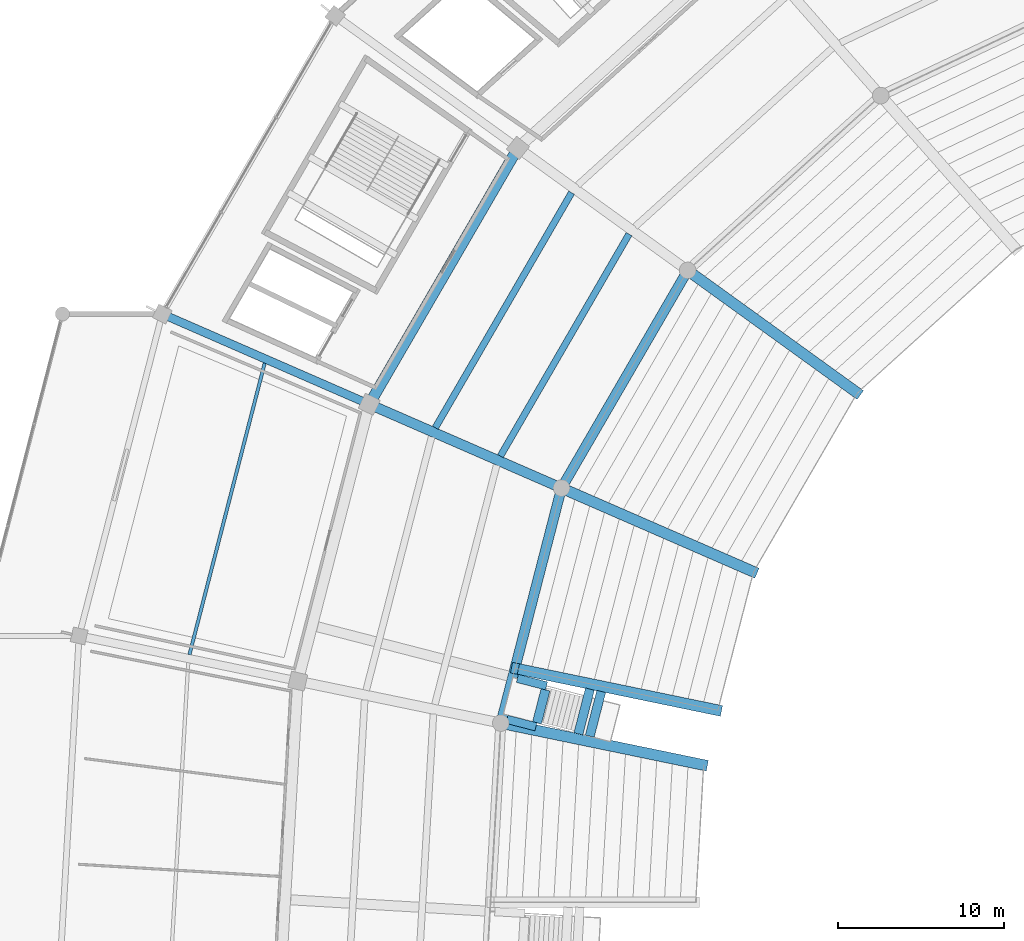
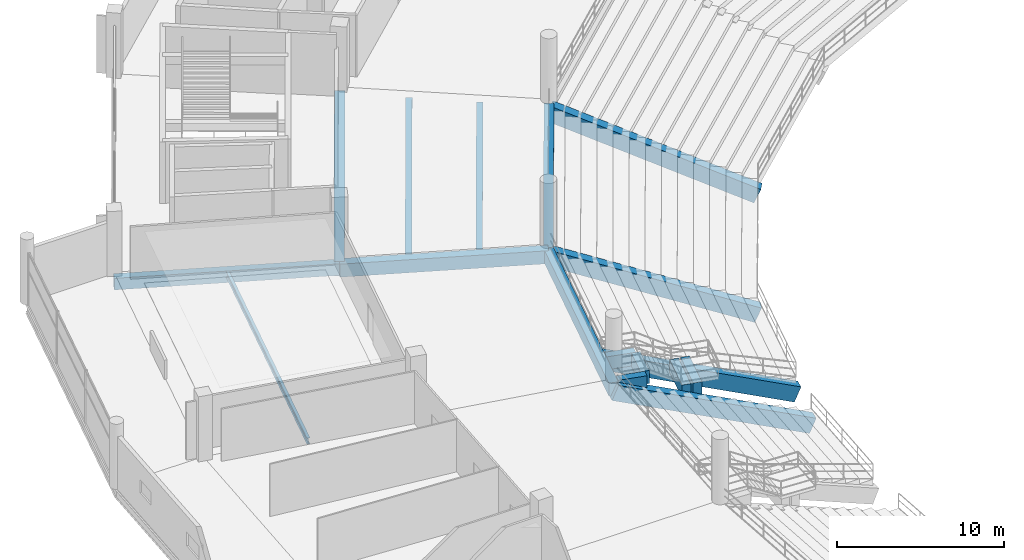
# One storey, part 38 of 156: 17 beams.
"""IFC4 building model written with IfcOpenShell, lengths in metres."""

import ifcopenshell
import ifcopenshell.guid

model = None  # the IFC model being written
_history = None  # IfcOwnerHistory: only IFC2X3 demands one
_inside = {}  # id of a spatial element -> (the spatial element, [elements in it])
_under = {}  # id of a project, library or spatial element -> (it, [spatial elements below it])
_declared = {}  # id of a project -> (the project, [libraries it declares])
_typed = {}  # id of a type object -> (the type object, [elements of that type])
_made_of = {}  # id of a material, layer set ... -> (it, [elements and type objects made of it])


def new_model(schema):
    """Start an empty IFC model of exactly this schema.

    Asked for "IFC4X3", IfcOpenShell would pick the latest addendum, in which some entities
    have other attributes; the version numbers below select the first issue.
    IFC2X3 requires an IfcOwnerHistory on every rooted entity: one is made here for all.
    """
    global model, _history
    if schema == "IFC4X3":
        model = ifcopenshell.file(schema_version=(4, 3, 0, 0))
    else:
        model = ifcopenshell.file(schema=schema)
    _inside.clear()
    _under.clear()
    _declared.clear()
    _typed.clear()
    _made_of.clear()
    _history = None
    if model.schema == "IFC2X3":
        org = make("IfcOrganization", Name="unknown")
        user = make(
            "IfcPersonAndOrganization",
            ThePerson=make("IfcPerson", FamilyName="unknown"),
            TheOrganization=org,
        )
        app = make(
            "IfcApplication",
            ApplicationDeveloper=org,
            Version="unknown",
            ApplicationFullName="unknown",
            ApplicationIdentifier="unknown",
        )
        _history = make(
            "IfcOwnerHistory",
            OwningUser=user,
            OwningApplication=app,
            ChangeAction="ADDED",
            CreationDate=0,
        )
    return model


def make(cls, **values):
    """One entity of the class cls with the attributes given. An attribute that is None is left unset."""
    return model.create_entity(
        cls, **{name: value for name, value in values.items() if value is not None}
    )


def rooted(cls, **values):
    """An entity with a GlobalId (a new one), such as an element, a storey or a relation."""
    return make(cls, GlobalId=ifcopenshell.guid.new(), OwnerHistory=_history, **values)


def si_unit(unit_type, name, prefix=None):
    """IfcSIUnit, for example si_unit("LENGTHUNIT", "METRE", prefix="MILLI")."""
    return make("IfcSIUnit", UnitType=unit_type, Prefix=prefix, Name=name)


def assignment(units):
    """IfcUnitAssignment: the units of a project."""
    return None if units is None else make("IfcUnitAssignment", Units=units)


def point(xyz):
    """IfcCartesianPoint."""
    return None if xyz is None else make("IfcCartesianPoint", Coordinates=xyz)


def direction(xyz):
    """IfcDirection."""
    return None if xyz is None else make("IfcDirection", DirectionRatios=xyz)


def frame(location, z_axis=None, x_axis=None):
    """IfcAxis2Placement3D, a coordinate frame: its origin and axes. An axis left out is left unset."""
    return make(
        "IfcAxis2Placement3D",
        Location=point(location),
        Axis=direction(z_axis),
        RefDirection=direction(x_axis),
    )


def frame_2d(location, x_axis=None):
    """IfcAxis2Placement2D, a coordinate frame in the plane: its origin and x axis."""
    return make(
        "IfcAxis2Placement2D", Location=point(location), RefDirection=direction(x_axis)
    )


def origin():
    """The frame at (0, 0, 0) with its axes left unset."""
    return frame((0.0, 0.0, 0.0))


def origin_2d():
    """The frame at (0, 0) in the plane with its x axis left unset."""
    return frame_2d((0.0, 0.0))


def place(relative_to, where):
    """IfcLocalPlacement: puts the frame where relative to a parent placement (None: the world)."""
    return make(
        "IfcLocalPlacement", PlacementRelTo=relative_to, RelativePlacement=where
    )


def context(
    kind, dimensions, precision=None, world=None, true_north=None, identifier=None
):
    """IfcGeometricRepresentationContext, for example the 3D "Model" context."""
    return make(
        "IfcGeometricRepresentationContext",
        ContextIdentifier=identifier,
        ContextType=kind,
        CoordinateSpaceDimension=dimensions,
        Precision=precision,
        WorldCoordinateSystem=world,
        TrueNorth=true_north,
    )


def subcontext(parent, identifier, kind, view, scale=None):
    """IfcGeometricRepresentationSubContext, for example "Body" below "Model"."""
    return make(
        "IfcGeometricRepresentationSubContext",
        ContextIdentifier=identifier,
        ContextType=kind,
        ParentContext=parent,
        TargetScale=scale,
        TargetView=view,
    )


def project(units=None, contexts=None):
    """IfcProject with its units and contexts."""
    return rooted(
        "IfcProject",
        Name="project",
        RepresentationContexts=contexts,
        UnitsInContext=assignment(units),
    )


def spatial(cls, under=None, at=None, **own):
    """A site, building, storey or space (cls), placed at a placement, below another one or the project."""
    s = rooted(cls, ObjectPlacement=at, **own)
    if under is not None:
        _under.setdefault(under.id(), (under, []))[1].append(s)
    return s


def profile(cls, at=None, kind="AREA", **sizes):
    """A parametric profile (cls). Its sizes go by their IFC names, for example OverallWidth=200.0."""
    return make(cls, ProfileType=kind, Position=at, **sizes)


def rectangle(**sizes):
    """IfcRectangleProfileDef."""
    return profile("IfcRectangleProfileDef", **sizes)


def i_section(**sizes):
    """IfcIShapeProfileDef."""
    return profile("IfcIShapeProfileDef", **sizes)


def extrude(swept, where, along, depth):
    """IfcExtrudedAreaSolid: the profile swept, set in the frame where, extruded along a direction by depth."""
    return make(
        "IfcExtrudedAreaSolid",
        SweptArea=swept,
        Position=where,
        ExtrudedDirection=direction(along),
        Depth=depth,
    )


def shape(context_of_items, identifier, shape_type, items):
    """IfcShapeRepresentation: the items that make up one representation, for example the "Body"."""
    return make(
        "IfcShapeRepresentation",
        ContextOfItems=context_of_items,
        RepresentationIdentifier=identifier,
        RepresentationType=shape_type,
        Items=items,
    )


def material(Name=None, Category=None):
    """IfcMaterial."""
    return make("IfcMaterial", Name=Name, Category=Category)


def material_profile(
    of_material, cross_section, Name=None, Category=None, Priority=None
):
    """IfcMaterialProfile: a cross section and its material."""
    return make(
        "IfcMaterialProfile",
        Name=Name,
        Material=of_material,
        Profile=cross_section,
        Priority=Priority,
        Category=Category,
    )


def profile_set(profiles, Name=None, composite=None):
    """IfcMaterialProfileSet."""
    return make(
        "IfcMaterialProfileSet",
        Name=Name,
        MaterialProfiles=profiles,
        CompositeProfile=composite,
    )


def made_of(thing, what):
    """Note that an element or type object is made of a material, layer set ...; save() writes the relation."""
    if what is not None:
        _made_of.setdefault(what.id(), (what, []))[1].append(thing)
    return thing


def type_object(cls, material=None, **own):
    """A type object (cls), such as IfcWallType, which elements share."""
    return made_of(rooted(cls, **own), material)


def element(
    cls,
    number,
    at=None,
    inside=None,
    cuts=None,
    type_object=None,
    material=None,
    context=None,
    identifier="Body",
    shape_type=None,
    held_by="IfcProductDefinitionShape",
    body=None,
    shapes=None,
    **own,
):
    """One element of the class cls, such as IfcWall. Its Tag is "e" and its number.

    at: its placement. inside: the storey or other place that contains it. cuts: it is an
    opening in that element (IfcRelVoidsElement). A single representation is given by context,
    identifier, shape_type and body (its items); several are given by shapes. held_by: the class
    of the entity that holds the representations. save() writes the other relations.
    """
    e = rooted(cls, Tag="e%d" % number, ObjectPlacement=at, **own)
    if body is not None:
        shapes = [shape(context, identifier, shape_type, body)]
    if shapes is not None:
        e.Representation = make(held_by, Representations=shapes)
    if inside is not None:
        _inside.setdefault(inside.id(), (inside, []))[1].append(e)
    if cuts is not None:
        rooted(
            "IfcRelVoidsElement", RelatingBuildingElement=cuts, RelatedOpeningElement=e
        )
    if type_object is not None:
        _typed.setdefault(type_object.id(), (type_object, []))[1].append(e)
    return made_of(e, material)


def aggregate(whole, parts):
    """IfcRelAggregates: a whole, such as a stair, and the parts it consists of."""
    return rooted("IfcRelAggregates", RelatingObject=whole, RelatedObjects=parts)


def save(model, path):
    """Write the relations noted so far, then the file.

    IfcRelAggregates (storeys below a building ...), IfcRelContainedInSpatialStructure (elements
    in a storey), IfcRelDefinesByType, IfcRelAssociatesMaterial and IfcRelDeclares: one each for
    every whole, place, type object, material and project.
    """
    for whole, parts in _under.values():
        aggregate(whole, parts)
    for where, things in _inside.values():
        rooted(
            "IfcRelContainedInSpatialStructure",
            RelatedElements=things,
            RelatingStructure=where,
        )
    for kind, things in _typed.values():
        rooted("IfcRelDefinesByType", RelatedObjects=things, RelatingType=kind)
    for what, things in _made_of.values():
        rooted("IfcRelAssociatesMaterial", RelatedObjects=things, RelatingMaterial=what)
    for by, libraries in _declared.values():
        rooted("IfcRelDeclares", RelatingContext=by, RelatedDefinitions=libraries)
    model.write(path)


model = new_model("IFC4")

# Units and contexts
model_context = context("Model", 3, precision=1e-05, world=origin(), true_north=direction((0.0, 1.0)))
body_context = subcontext(model_context, "Body", "Model", "MODEL_VIEW")
ifc_project = project(units=[si_unit("LENGTHUNIT", "METRE"), si_unit("AREAUNIT", "SQUARE_METRE"), si_unit("VOLUMEUNIT", "CUBIC_METRE"), si_unit("PLANEANGLEUNIT", "RADIAN"), si_unit("MASSUNIT", "GRAM", prefix="KILO")], contexts=[model_context])

# Site, building, storey
site_placement = place(None, origin())
site = spatial("IfcSite", under=ifc_project, at=site_placement, CompositionType="ELEMENT")
building_placement = place(site_placement, origin())
building = spatial("IfcBuilding", under=site, at=building_placement, Name="Kazemori Nagisa Stadium", CompositionType="ELEMENT")
storey_placement = place(building_placement, frame((0.0, 0.0, 5.780029296875)))
storey = spatial("IfcBuildingStorey", under=building, at=storey_placement, Name="L01", CompositionType="ELEMENT", Elevation=5.780029296875)

# Beams
ifc_material_1 = material(Name="Concrete C40/50 (Fc42)", Category="concrete")
ifc_material_profile_1 = material_profile(ifc_material_1, rectangle(XDim=0.5, YDim=0.85009765625, at=origin_2d()), Name="RC-BM-500x850")
ifc_profile_set_1 = profile_set([ifc_material_profile_1], Name="Concrete C40/50 (Fc42)")
beam_type_1 = type_object("IfcBeamType", Name="Beam_BG-RC500X850", PredefinedType="BEAM", material=ifc_profile_set_1)
beam_1_placement = place(storey_placement, frame((46.55908203125, 135.32470703125, -0.705078125), z_axis=(-0.916683633521, 0.399613708517, 0.0), x_axis=(-0.399613708517, -0.916683633521, 0.0)))
element("IfcBeam", 1, at=beam_1_placement, inside=storey, type_object=beam_type_1, Name="Radial girder BG-RC500X850 L01 R2-R3-13", PredefinedType="BEAM", context=body_context, shape_type="SweptSolid", body=[
    extrude(rectangle(XDim=0.5, YDim=0.85009765625, at=origin_2d()), origin(), (0.0, 0.0, 1.0), 13.5751953125),
])
ifc_material_profile_2 = material_profile(ifc_material_1, rectangle(XDim=0.60009765625, YDim=0.949951171875, at=origin_2d()), Name="RC-BM-600x950")
ifc_profile_set_2 = profile_set([ifc_material_profile_2], Name="Concrete C40/50 (Fc42)")
beam_type_2 = type_object("IfcBeamType", Name="Beam_BG-RC600X950", PredefinedType="BEAM", material=ifc_profile_set_2)
beam_2_placement = place(storey_placement, frame((65.698486328125, 143.367431640625, -0.755126953125), z_axis=(-0.501613453924, -0.865091869597, 0.0), x_axis=(0.865091869597, -0.501613453924, 0.0)))
element("IfcBeam", 2, at=beam_2_placement, inside=storey, type_object=beam_type_2, Name="Ring girder BG-RC600X950 L01 R1-12", PredefinedType="BEAM", context=body_context, shape_type="SweptSolid", body=[
    extrude(rectangle(XDim=0.60009765625, YDim=0.949951171875, at=origin_2d()), origin(), (0.0, 0.0, 1.0), 15.1201171875),
])
beam_3_placement = place(storey_placement, frame((58.114013671875, 130.287109375, -0.755126953125), z_axis=(-0.249966077383, -0.9682545947, 0.0), x_axis=(0.9682545947, -0.249966077383, 0.0)))
element("IfcBeam", 3, at=beam_3_placement, inside=storey, type_object=beam_type_2, Name="Ring girder BG-RC600X950 L01 R1-13", PredefinedType="BEAM", context=body_context, shape_type="SweptSolid", body=[
    extrude(rectangle(XDim=0.60009765625, YDim=0.949951171875, at=origin_2d()), origin(), (0.0, 0.0, 1.0), 14.58984375),
])
beam_4_placement = place(storey_placement, frame((58.114013671875, 130.287109375, -0.755126953125), z_axis=(-0.916671768981, 0.399640923771, 0.0), x_axis=(-0.399640923771, -0.916671768981, 0.0)))
element("IfcBeam", 4, at=beam_4_placement, inside=storey, type_object=beam_type_2, Name="Radial girder BG-RC600X950 L01 R1-R2-13", PredefinedType="BEAM", context=body_context, shape_type="SweptSolid", body=[
    extrude(rectangle(XDim=0.60009765625, YDim=0.949951171875, at=origin_2d()), origin(), (0.0, 0.0, 1.0), 12.605224609375),
])
ifc_material_profile_3 = material_profile(ifc_material_1, rectangle(XDim=0.64990234375, YDim=1.050048828125, at=origin_2d()), Name="RC-BM-650x1050")
ifc_profile_set_3 = profile_set([ifc_material_profile_3], Name="Concrete C40/50 (Fc42)")
beam_type_3 = type_object("IfcBeamType", Name="Beam_BG-RC650X1050", PredefinedType="BEAM", material=ifc_profile_set_3)
beam_5_placement = place(storey_placement, frame((55.493896484375, 150.734130859375, -0.804931640625), z_axis=(-0.501606704589, -0.865095783085, 0.0), x_axis=(0.865095783085, -0.501606704589, 0.0)))
element("IfcBeam", 5, at=beam_5_placement, inside=storey, type_object=beam_type_3, Name="Ring girder BG-RC650X1050 L01 R2-12", PredefinedType="BEAM", context=body_context, shape_type="SweptSolid", body=[
    extrude(rectangle(XDim=0.64990234375, YDim=1.050048828125, at=origin_2d()), origin(), (0.0, 0.0, 1.0), 17.8125),
])
ifc_material_profile_4 = material_profile(ifc_material_1, rectangle(XDim=0.5, YDim=0.949951171875, at=origin_2d()), Name="RC-BM-500x950")
ifc_profile_set_4 = profile_set([ifc_material_profile_4], Name="Concrete C40/50 (Fc42)")
beam_type_4 = type_object("IfcBeamType", Name="Beam_BG-TR500X950", PredefinedType="BEAM", material=ifc_profile_set_4)
beam_6_placement = place(storey_placement, frame((56.577880859375, 115.935546875, -0.695068359375), z_axis=(-0.968260431642, 0.24994346664, 0.0), x_axis=(-0.24994346664, -0.968260431642, 0.0)))
element("IfcBeam", 6, at=beam_6_placement, inside=storey, type_object=beam_type_4, Name="Lower vomitory left trimmer girder B13", PredefinedType="BEAM", context=body_context, shape_type="SweptSolid", body=[
    extrude(rectangle(XDim=0.5, YDim=0.949951171875, at=origin_2d()), origin(), (0.0, 0.0, 1.0), 1.80517578125),
])
beam_7_placement = place(storey_placement, frame((57.212646484375, 118.39501953125, -0.695068359375), z_axis=(-0.96825198063, 0.249976202879, 0.0), x_axis=(-0.249976202879, -0.96825198063, 0.0)))
element("IfcBeam", 7, at=beam_7_placement, inside=storey, type_object=beam_type_4, Name="Lower vomitory right trimmer girder B13", PredefinedType="BEAM", context=body_context, shape_type="SweptSolid", body=[
    extrude(rectangle(XDim=0.5, YDim=0.949951171875, at=origin_2d()), origin(), (0.0, 0.0, 1.0), 1.804931640625),
])
ifc_material_profile_5 = material_profile(ifc_material_1, rectangle(XDim=0.550048828125, YDim=0.949951171875, at=origin_2d()), Name="RC-BM-550x950")
ifc_profile_set_5 = profile_set([ifc_material_profile_5], Name="Concrete C40/50 (Fc42)")
beam_type_5 = type_object("IfcBeamType", Name="Beam_BG-TR550X950", PredefinedType="BEAM", material=ifc_profile_set_5)
beam_8_placement = place(storey_placement, frame((56.63916015625, 116.1728515625, -0.695068359375), z_axis=(0.249982473461, 0.968250361715, 0.0), x_axis=(-0.968250361715, 0.249982473461, 0.0)))
element("IfcBeam", 8, at=beam_8_placement, inside=storey, type_object=beam_type_5, Name="Lower vomitory portal header girder B13", PredefinedType="BEAM", context=body_context, shape_type="SweptSolid", body=[
    extrude(rectangle(XDim=0.550048828125, YDim=0.949951171875, at=origin_2d()), origin(), (0.0, 0.0, 1.0), 2.050048828125),
])
for number, where, z_axis, x_axis, name in (
    (9, (59.822998046875, 118.205078125, -2.135009765625), (-0.249947078032, -0.968259499403, 0.0), (0.968259499403, -0.249947078032, 0.0), "Vomitory landing cross-beam VL05-1"),
    (10, (60.50537109375, 118.064208984375, -2.135009765625), (-0.249947078032, -0.968259499403, 0.0), (0.968259499403, -0.249947078032, 0.0), "Vomitory landing cross-beam VL05-2"),
):
    element("IfcBeam", number, at=place(storey_placement, frame(where, z_axis=z_axis, x_axis=x_axis)), inside=storey, type_object=beam_type_5, Name=name, PredefinedType="BEAM", context=body_context, shape_type="SweptSolid", body=[
        extrude(rectangle(XDim=0.550048828125, YDim=0.949951171875, at=origin_2d()), origin(), (0.0, 0.0, 1.0), 2.77978515625),
    ])
ifc_material_2 = material(Name="Steel SN490B", Category="steel")
ifc_material_profile_6 = material_profile(ifc_material_2, i_section(OverallWidth=0.199951171875, OverallDepth=0.449951171875, WebThickness=0.009033203125, FlangeThickness=0.013916015625, FilletRadius=0.012939453125, at=origin_2d()), Name="H-450x200x9x14")
ifc_profile_set_6 = profile_set([ifc_material_profile_6], Name="Steel SN490B")
beam_type_6 = type_object("IfcBeamType", Name="Beam_BJ-H450", PredefinedType="JOIST", material=ifc_profile_set_6)
beam_9_placement = place(storey_placement, frame((40.27587890625, 137.7998046875, -0.505126953125), z_axis=(-0.249965739243, -0.968254681995, 0.0), x_axis=(0.968254681995, -0.249965739243, 0.0)))
element("IfcBeam", 11, at=beam_9_placement, inside=storey, type_object=beam_type_6, Name="Outer bay joist BJ-H450 L01 B13", PredefinedType="JOIST", context=body_context, shape_type="SweptSolid", body=[
    extrude(i_section(OverallWidth=0.199951171875, OverallDepth=0.449951171875, WebThickness=0.009033203125, FlangeThickness=0.013916015625, FilletRadius=0.012939453125, at=origin_2d()), origin(), (0.0, 0.0, 1.0), 18.09716796875),
])
ifc_material_profile_7 = material_profile(ifc_material_1, rectangle(XDim=0.39990234375, YDim=0.64990234375, at=origin_2d()), Name="RC-BM-400x650")
ifc_profile_set_7 = profile_set([ifc_material_profile_7], Name="Concrete C40/50 (Fc42)")
beam_type_7 = type_object("IfcBeamType", Name="Beam_BJ-RC400X650", PredefinedType="JOIST", material=ifc_profile_set_7)
beam_10_placement = place(storey_placement, frame((62.175048828125, 145.548828125, -0.60498046875), z_axis=(-0.501607199617, -0.865095496054, 0.0), x_axis=(0.865095496054, -0.501607199617, 0.0)))
element("IfcBeam", 12, at=beam_10_placement, inside=storey, type_object=beam_type_7, Name="Concourse joist BJ-RC400X650 L01 B12-1", PredefinedType="JOIST", context=body_context, shape_type="SweptSolid", body=[
    extrude(rectangle(XDim=0.39990234375, YDim=0.64990234375, at=origin_2d()), origin(), (0.0, 0.0, 1.0), 15.420654296875),
])
beam_11_placement = place(storey_placement, frame((58.72119140625, 148.042236328125, -0.60498046875), z_axis=(-0.501604213872, -0.865097227268, 0.0), x_axis=(0.865097227268, -0.501604213872, 0.0)))
element("IfcBeam", 13, at=beam_11_placement, inside=storey, type_object=beam_type_7, Name="Concourse joist BJ-RC400X650 L01 B12-2", PredefinedType="JOIST", context=body_context, shape_type="SweptSolid", body=[
    extrude(rectangle(XDim=0.39990234375, YDim=0.64990234375, at=origin_2d()), origin(), (0.0, 0.0, 1.0), 16.331787109375),
])
ifc_material_profile_8 = material_profile(ifc_material_1, rectangle(XDim=0.64990234375, YDim=1.10009765625, at=origin_2d()), Name="RC-RK-650x1100")
ifc_profile_set_8 = profile_set([ifc_material_profile_8], Name="Concrete C40/50 (Fc42)")
beam_type_8 = type_object("IfcBeamType", Name="Beam_RK-RC650X1100", PredefinedType="USERDEFINED", material=ifc_profile_set_8)
beam_12_placement = place(storey_placement, frame((75.90283203125, 136.00048828125, -5.97998046875), z_axis=(-0.75039658513, 0.541742635985, 0.378708174432), x_axis=(-0.58534110289, -0.810787144242, 0.0)))
element("IfcBeam", 14, at=beam_12_placement, inside=storey, type_object=beam_type_8, Name="Raker beam lower RK1-12", ObjectType="RAKER BEAM", PredefinedType="USERDEFINED", context=body_context, shape_type="SweptSolid", body=[
    extrude(rectangle(XDim=0.64990234375, YDim=1.10009765625, at=origin_2d()), origin(), (0.0, 0.0, 1.0), 13.5986328125),
])
beam_13_placement = place(storey_placement, frame((69.6689453125, 125.249755859375, -5.97998046875), z_axis=(-0.848589087357, 0.369941022194, 0.378206558531), x_axis=(-0.399624648835, -0.916678864185, 0.0)))
element("IfcBeam", 15, at=beam_13_placement, inside=storey, type_object=beam_type_8, Name="Raker beam lower RK1-13", ObjectType="RAKER BEAM", PredefinedType="USERDEFINED", context=body_context, shape_type="SweptSolid", body=[
    extrude(rectangle(XDim=0.64990234375, YDim=1.10009765625, at=origin_2d()), origin(), (0.0, 0.0, 1.0), 13.61669921875),
])
for number, where, z_axis, x_axis, name in (
    (16, (66.671630859375, 113.638671875, -5.97998046875), (-0.90508066658, 0.187008965895, 0.38191181398), (-0.202347127025, -0.979313861938, 0.0), "Raker beam lower RK1-14"),
    (17, (67.521484375, 116.9306640625, -5.97998046875), (-0.90508066658, 0.187008965895, 0.38191181398), (-0.202347127025, -0.979313861938, 0.0), "Raker beam lower vomitory cheek RK1V-13"),
):
    element("IfcBeam", number, at=place(storey_placement, frame(where, z_axis=z_axis, x_axis=x_axis)), inside=storey, type_object=beam_type_8, Name=name, ObjectType="RAKER BEAM", PredefinedType="USERDEFINED", context=body_context, shape_type="SweptSolid", body=[
        extrude(rectangle(XDim=0.64990234375, YDim=1.10009765625, at=origin_2d()), origin(), (0.0, 0.0, 1.0), 13.484619140625),
    ])

save(model, "model.ifc")
